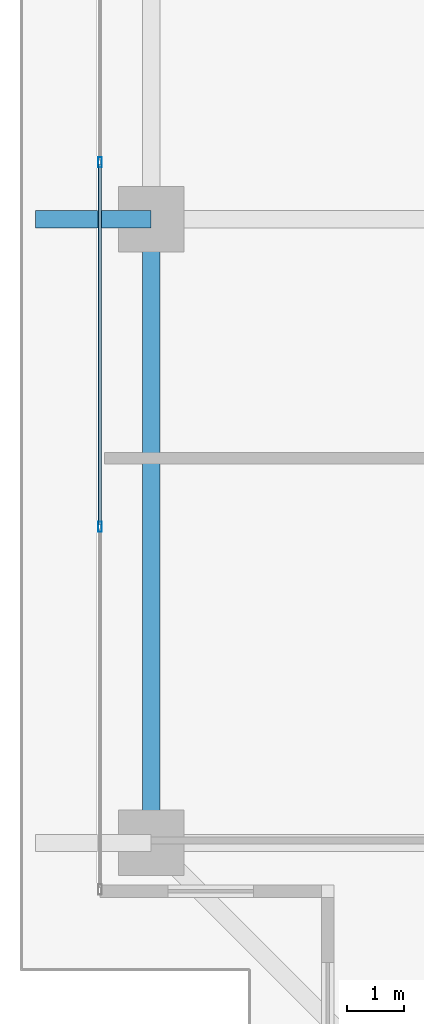
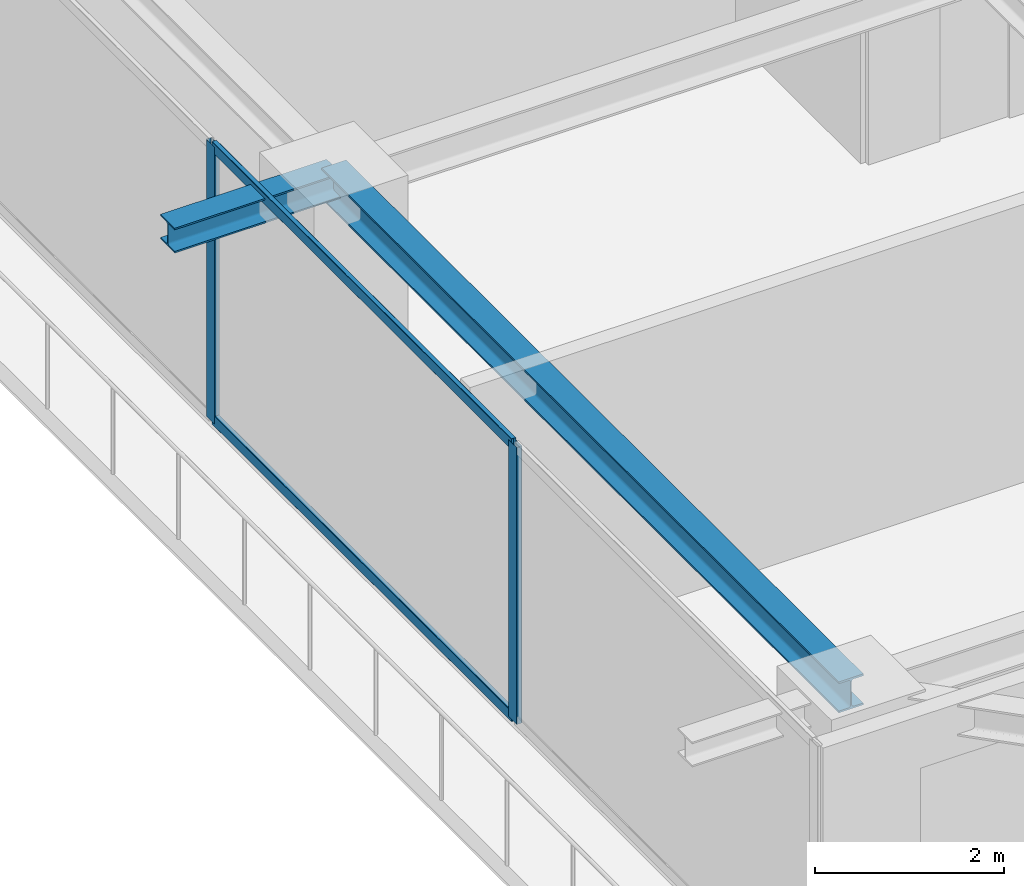
# One storey, part 7 of 38: 4 members, 2 beams, 1 element without a shape of its own.
"""IFC4 building model written with IfcOpenShell, lengths in metres."""

import ifcopenshell
import ifcopenshell.guid

model = None  # the IFC model being written
_history = None  # IfcOwnerHistory: only IFC2X3 demands one
_inside = {}  # id of a spatial element -> (the spatial element, [elements in it])
_under = {}  # id of a project, library or spatial element -> (it, [spatial elements below it])
_declared = {}  # id of a project -> (the project, [libraries it declares])
_typed = {}  # id of a type object -> (the type object, [elements of that type])
_made_of = {}  # id of a material, layer set ... -> (it, [elements and type objects made of it])


def new_model(schema):
    """Start an empty IFC model of exactly this schema.

    Asked for "IFC4X3", IfcOpenShell would pick the latest addendum, in which some entities
    have other attributes; the version numbers below select the first issue.
    IFC2X3 requires an IfcOwnerHistory on every rooted entity: one is made here for all.
    """
    global model, _history
    if schema == "IFC4X3":
        model = ifcopenshell.file(schema_version=(4, 3, 0, 0))
    else:
        model = ifcopenshell.file(schema=schema)
    _inside.clear()
    _under.clear()
    _declared.clear()
    _typed.clear()
    _made_of.clear()
    _history = None
    if model.schema == "IFC2X3":
        org = make("IfcOrganization", Name="unknown")
        user = make(
            "IfcPersonAndOrganization",
            ThePerson=make("IfcPerson", FamilyName="unknown"),
            TheOrganization=org,
        )
        app = make(
            "IfcApplication",
            ApplicationDeveloper=org,
            Version="unknown",
            ApplicationFullName="unknown",
            ApplicationIdentifier="unknown",
        )
        _history = make(
            "IfcOwnerHistory",
            OwningUser=user,
            OwningApplication=app,
            ChangeAction="ADDED",
            CreationDate=0,
        )
    return model


def make(cls, **values):
    """One entity of the class cls with the attributes given. An attribute that is None is left unset."""
    return model.create_entity(
        cls, **{name: value for name, value in values.items() if value is not None}
    )


def rooted(cls, **values):
    """An entity with a GlobalId (a new one), such as an element, a storey or a relation."""
    return make(cls, GlobalId=ifcopenshell.guid.new(), OwnerHistory=_history, **values)


def si_unit(unit_type, name, prefix=None):
    """IfcSIUnit, for example si_unit("LENGTHUNIT", "METRE", prefix="MILLI")."""
    return make("IfcSIUnit", UnitType=unit_type, Prefix=prefix, Name=name)


def assignment(units):
    """IfcUnitAssignment: the units of a project."""
    return None if units is None else make("IfcUnitAssignment", Units=units)


def point(xyz):
    """IfcCartesianPoint."""
    return None if xyz is None else make("IfcCartesianPoint", Coordinates=xyz)


def direction(xyz):
    """IfcDirection."""
    return None if xyz is None else make("IfcDirection", DirectionRatios=xyz)


def frame(location, z_axis=None, x_axis=None):
    """IfcAxis2Placement3D, a coordinate frame: its origin and axes. An axis left out is left unset."""
    return make(
        "IfcAxis2Placement3D",
        Location=point(location),
        Axis=direction(z_axis),
        RefDirection=direction(x_axis),
    )


def frame_2d(location, x_axis=None):
    """IfcAxis2Placement2D, a coordinate frame in the plane: its origin and x axis."""
    return make(
        "IfcAxis2Placement2D", Location=point(location), RefDirection=direction(x_axis)
    )


def origin():
    """The frame at (0, 0, 0) with its axes left unset."""
    return frame((0.0, 0.0, 0.0))


def origin_2d():
    """The frame at (0, 0) in the plane with its x axis left unset."""
    return frame_2d((0.0, 0.0))


def place(relative_to, where):
    """IfcLocalPlacement: puts the frame where relative to a parent placement (None: the world)."""
    return make(
        "IfcLocalPlacement", PlacementRelTo=relative_to, RelativePlacement=where
    )


def context(
    kind, dimensions, precision=None, world=None, true_north=None, identifier=None
):
    """IfcGeometricRepresentationContext, for example the 3D "Model" context."""
    return make(
        "IfcGeometricRepresentationContext",
        ContextIdentifier=identifier,
        ContextType=kind,
        CoordinateSpaceDimension=dimensions,
        Precision=precision,
        WorldCoordinateSystem=world,
        TrueNorth=true_north,
    )


def subcontext(parent, identifier, kind, view, scale=None):
    """IfcGeometricRepresentationSubContext, for example "Body" below "Model"."""
    return make(
        "IfcGeometricRepresentationSubContext",
        ContextIdentifier=identifier,
        ContextType=kind,
        ParentContext=parent,
        TargetScale=scale,
        TargetView=view,
    )


def project(units=None, contexts=None):
    """IfcProject with its units and contexts."""
    return rooted(
        "IfcProject",
        Name="project",
        RepresentationContexts=contexts,
        UnitsInContext=assignment(units),
    )


def spatial(cls, under=None, at=None, **own):
    """A site, building, storey or space (cls), placed at a placement, below another one or the project."""
    s = rooted(cls, ObjectPlacement=at, **own)
    if under is not None:
        _under.setdefault(under.id(), (under, []))[1].append(s)
    return s


def profile(cls, at=None, kind="AREA", **sizes):
    """A parametric profile (cls). Its sizes go by their IFC names, for example OverallWidth=200.0."""
    return make(cls, ProfileType=kind, Position=at, **sizes)


def hollow_rectangle(**sizes):
    """IfcRectangleHollowProfileDef."""
    return profile("IfcRectangleHollowProfileDef", **sizes)


def i_section(**sizes):
    """IfcIShapeProfileDef."""
    return profile("IfcIShapeProfileDef", **sizes)


def extrude(swept, where, along, depth):
    """IfcExtrudedAreaSolid: the profile swept, set in the frame where, extruded along a direction by depth."""
    return make(
        "IfcExtrudedAreaSolid",
        SweptArea=swept,
        Position=where,
        ExtrudedDirection=direction(along),
        Depth=depth,
    )


def shape(context_of_items, identifier, shape_type, items):
    """IfcShapeRepresentation: the items that make up one representation, for example the "Body"."""
    return make(
        "IfcShapeRepresentation",
        ContextOfItems=context_of_items,
        RepresentationIdentifier=identifier,
        RepresentationType=shape_type,
        Items=items,
    )


def source(mapping_origin, context_of_items, identifier, shape_type, items):
    """IfcRepresentationMap: a shape defined once, which mapped items show again and again."""
    return make(
        "IfcRepresentationMap",
        MappingOrigin=mapping_origin,
        MappedRepresentation=shape(context_of_items, identifier, shape_type, items),
    )


def transform(
    local_origin,
    x_axis=None,
    y_axis=None,
    z_axis=None,
    scale=None,
    scale2=None,
    scale3=None,
    uniform=True,
):
    """IfcCartesianTransformationOperator3D, or its non-uniform kind. x_axis, y_axis, z_axis: its Axis1, 2, 3."""
    if uniform:
        return make(
            "IfcCartesianTransformationOperator3D",
            Axis1=direction(x_axis),
            Axis2=direction(y_axis),
            LocalOrigin=point(local_origin),
            Scale=scale,
            Axis3=direction(z_axis),
        )
    return make(
        "IfcCartesianTransformationOperator3DnonUniform",
        Axis1=direction(x_axis),
        Axis2=direction(y_axis),
        LocalOrigin=point(local_origin),
        Scale=scale,
        Axis3=direction(z_axis),
        Scale2=scale2,
        Scale3=scale3,
    )


def mapped(mapping_source, mapping_target):
    """IfcMappedItem: shows the shape of a source again, moved by a transform."""
    return make(
        "IfcMappedItem", MappingSource=mapping_source, MappingTarget=mapping_target
    )


def material(Name=None, Category=None):
    """IfcMaterial."""
    return make("IfcMaterial", Name=Name, Category=Category)


def layer(
    of_material, thickness, ventilated=None, Name=None, Category=None, Priority=None
):
    """IfcMaterialLayer: one layer of a wall or slab, of a material (None: an air gap)."""
    return make(
        "IfcMaterialLayer",
        Material=of_material,
        LayerThickness=thickness,
        IsVentilated=ventilated,
        Name=Name,
        Category=Category,
        Priority=Priority,
    )


def layer_set(layers, Name=None):
    """IfcMaterialLayerSet."""
    return make("IfcMaterialLayerSet", MaterialLayers=layers, LayerSetName=Name)


def material_profile(
    of_material, cross_section, Name=None, Category=None, Priority=None
):
    """IfcMaterialProfile: a cross section and its material."""
    return make(
        "IfcMaterialProfile",
        Name=Name,
        Material=of_material,
        Profile=cross_section,
        Priority=Priority,
        Category=Category,
    )


def profile_set(profiles, Name=None, composite=None):
    """IfcMaterialProfileSet."""
    return make(
        "IfcMaterialProfileSet",
        Name=Name,
        MaterialProfiles=profiles,
        CompositeProfile=composite,
    )


def made_of(thing, what):
    """Note that an element or type object is made of a material, layer set ...; save() writes the relation."""
    if what is not None:
        _made_of.setdefault(what.id(), (what, []))[1].append(thing)
    return thing


def type_object(cls, material=None, **own):
    """A type object (cls), such as IfcWallType, which elements share."""
    return made_of(rooted(cls, **own), material)


def element(
    cls,
    number,
    at=None,
    inside=None,
    cuts=None,
    type_object=None,
    material=None,
    context=None,
    identifier="Body",
    shape_type=None,
    held_by="IfcProductDefinitionShape",
    body=None,
    shapes=None,
    **own,
):
    """One element of the class cls, such as IfcWall. Its Tag is "e" and its number.

    at: its placement. inside: the storey or other place that contains it. cuts: it is an
    opening in that element (IfcRelVoidsElement). A single representation is given by context,
    identifier, shape_type and body (its items); several are given by shapes. held_by: the class
    of the entity that holds the representations. save() writes the other relations.
    """
    e = rooted(cls, Tag="e%d" % number, ObjectPlacement=at, **own)
    if body is not None:
        shapes = [shape(context, identifier, shape_type, body)]
    if shapes is not None:
        e.Representation = make(held_by, Representations=shapes)
    if inside is not None:
        _inside.setdefault(inside.id(), (inside, []))[1].append(e)
    if cuts is not None:
        rooted(
            "IfcRelVoidsElement", RelatingBuildingElement=cuts, RelatedOpeningElement=e
        )
    if type_object is not None:
        _typed.setdefault(type_object.id(), (type_object, []))[1].append(e)
    return made_of(e, material)


def aggregate(whole, parts):
    """IfcRelAggregates: a whole, such as a stair, and the parts it consists of."""
    return rooted("IfcRelAggregates", RelatingObject=whole, RelatedObjects=parts)


def save(model, path):
    """Write the relations noted so far, then the file.

    IfcRelAggregates (storeys below a building ...), IfcRelContainedInSpatialStructure (elements
    in a storey), IfcRelDefinesByType, IfcRelAssociatesMaterial and IfcRelDeclares: one each for
    every whole, place, type object, material and project.
    """
    for whole, parts in _under.values():
        aggregate(whole, parts)
    for where, things in _inside.values():
        rooted(
            "IfcRelContainedInSpatialStructure",
            RelatedElements=things,
            RelatingStructure=where,
        )
    for kind, things in _typed.values():
        rooted("IfcRelDefinesByType", RelatedObjects=things, RelatingType=kind)
    for what, things in _made_of.values():
        rooted("IfcRelAssociatesMaterial", RelatedObjects=things, RelatingMaterial=what)
    for by, libraries in _declared.values():
        rooted("IfcRelDeclares", RelatingContext=by, RelatedDefinitions=libraries)
    model.write(path)


model = new_model("IFC4")

# Units and contexts
model_context = context("Model", 3, precision=1e-05, world=origin(), true_north=direction((0.0, 1.0)))
body_context = subcontext(model_context, "Body", "Model", "MODEL_VIEW")
ifc_project = project(units=[si_unit("LENGTHUNIT", "METRE"), si_unit("AREAUNIT", "SQUARE_METRE"), si_unit("VOLUMEUNIT", "CUBIC_METRE"), si_unit("PLANEANGLEUNIT", "RADIAN"), si_unit("MASSUNIT", "GRAM", prefix="KILO")], contexts=[model_context])

# Site, building, storey
site_placement = place(None, origin())
site = spatial("IfcSite", under=ifc_project, at=site_placement, CompositionType="ELEMENT")
building_placement = place(site_placement, origin())
building = spatial("IfcBuilding", under=site, at=building_placement, Name="Serunith Strait Residences", CompositionType="ELEMENT")
storey_placement = place(building_placement, frame((0.0, 0.0, 229.699951171875)))
storey = spatial("IfcBuildingStorey", under=building, at=storey_placement, Name="L57", CompositionType="ELEMENT", Elevation=229.699951171875)

# Beams
ifc_material_1 = material(Name="Steel S355J2", Category="steel")
ifc_material_profile_1 = material_profile(ifc_material_1, i_section(OverallWidth=0.300048828125, OverallDepth=0.39990234375, WebThickness=0.013427734375, FlangeThickness=0.02392578125, FilletRadius=0.027099609375, at=origin_2d()), Name="HEB 400")
ifc_profile_set_1 = profile_set([ifc_material_profile_1], Name="Steel S355J2")
beam_type_1 = type_object("IfcBeamType", Name="BM-HEB400", PredefinedType="BEAM", material=ifc_profile_set_1)
shared_shape_1 = source(origin(), body_context, "Body", "SweptSolid", [
    extrude(i_section(OverallWidth=0.300048828125, OverallDepth=0.39990234375, WebThickness=0.013427734375, FlangeThickness=0.02392578125, FilletRadius=0.027099609375, at=origin_2d()), origin(), (0.0, 0.0, 1.0), 10.949951171875),
])
beam_1_placement = place(storey_placement, frame((8.300048828125, 21.0, 3.386962890625), z_axis=(0.0, -1.0, 0.0), x_axis=(1.0, 0.0, 0.0)))
element("IfcBeam", 1, at=beam_1_placement, inside=storey, type_object=beam_type_1, Name="L57 Perimeter Ring Beam 15", PredefinedType="BEAM", context=body_context, shape_type="MappedRepresentation", body=[
    mapped(shared_shape_1, transform((0.0, 0.0, 0.0), scale=1.0)),
])
ifc_material_profile_2 = material_profile(ifc_material_1, i_section(OverallWidth=0.300048828125, OverallDepth=0.320068359375, WebThickness=0.011474609375, FlangeThickness=0.0205078125, FilletRadius=0.027099609375, at=origin_2d()), Name="HEB 320")
ifc_profile_set_2 = profile_set([ifc_material_profile_2], Name="Steel S355J2")
beam_type_2 = type_object("IfcBeamType", Name="BM-HEB320", PredefinedType="BEAM", material=ifc_profile_set_2)
shared_shape_2 = source(origin(), body_context, "Body", "SweptSolid", [
    extrude(i_section(OverallWidth=0.300048828125, OverallDepth=0.320068359375, WebThickness=0.011474609375, FlangeThickness=0.0205078125, FilletRadius=0.027099609375, at=origin_2d()), origin(), (0.0, 0.0, 1.0), 2.030029296875),
])
beam_2_placement = place(storey_placement, frame((8.300048828125, 21.0, 3.39697265625), z_axis=(-1.0, 0.0, 0.0), x_axis=(0.0, -1.0, 0.0)))
element("IfcBeam", 2, at=beam_2_placement, inside=storey, type_object=beam_type_2, Name="L58 Cantilevered Balcony Rib TC-W2", PredefinedType="BEAM", context=body_context, shape_type="MappedRepresentation", body=[
    mapped(shared_shape_2, transform((0.0, 0.0, 0.0), scale=1.0)),
])

# Curtain wall, members
ifc_material_2 = material(Name="Pale-Champagne Anodised Aluminium", Category="aluminium")
ifc_layer = layer(ifc_material_2, 0.199951171875, Name="Pale-Champagne Anodised Aluminium")
ifc_layer_set = layer_set([ifc_layer], Name="Pale-Champagne Anodised Aluminium")
curtain_wall_type = type_object("IfcCurtainWallType", Name="CW-SYS4", PredefinedType="NOTDEFINED", material=ifc_layer_set)
curtain_wall_placement = place(storey_placement, origin())
curtain_wall = element("IfcCurtainWall", 3, at=curtain_wall_placement, inside=storey, type_object=curtain_wall_type, Name="L57 W Unitised Fritted Curtain Wall", PredefinedType="NOTDEFINED")
ifc_material_profile_3 = material_profile(ifc_material_2, hollow_rectangle(XDim=0.06494140625, YDim=0.179931640625, WallThickness=0.00341796875, InnerFilletRadius=0.00537109375, OuterFilletRadius=0.0087890625, at=origin_2d()), Name="ALU 180x65x3.5")
ifc_profile_set_3 = profile_set([ifc_material_profile_3], Name="Pale-Champagne Anodised Aluminium")
member_type_1 = type_object("IfcMemberType", Name="CW-SYS4-MULL", PredefinedType="MULLION", material=ifc_profile_set_3)
shared_shape_3 = source(origin(), body_context, "Body", "SweptSolid", [
    extrude(hollow_rectangle(XDim=0.06494140625, YDim=0.179931640625, WallThickness=0.00341796875, InnerFilletRadius=0.00537109375, OuterFilletRadius=0.0087890625, at=origin_2d()), origin(), (0.0, 0.0, 1.0), 3.574951171875),
])
member_1_placement = place(storey_placement, frame((7.39990234375, 22.0, 0.0), z_axis=(0.0, 0.0, 1.0), x_axis=(1.0, 0.0, 0.0)))
member_1 = element("IfcMember", 4, at=member_1_placement, type_object=member_type_1, Name="CW-4 mullion 4", PredefinedType="MULLION", context=body_context, shape_type="MappedRepresentation", body=[
    mapped(shared_shape_3, transform((0.0, 0.0, 0.0), scale=1.0)),
])
member_2_placement = place(storey_placement, frame((7.39990234375, 15.60009765625, 0.0), z_axis=(0.0, 0.0, 1.0), x_axis=(1.0, 0.0, 0.0)))
member_2 = element("IfcMember", 5, at=member_2_placement, type_object=member_type_1, Name="CW-4 mullion 5", PredefinedType="MULLION", context=body_context, shape_type="MappedRepresentation", body=[
    mapped(shared_shape_3, transform((0.0, 0.0, 0.0), scale=1.0)),
])
ifc_material_profile_4 = material_profile(ifc_material_2, hollow_rectangle(XDim=0.06005859375, YDim=0.139892578125, WallThickness=0.00341796875, InnerFilletRadius=0.00537109375, OuterFilletRadius=0.0087890625, at=origin_2d()), Name="ALU 140x60x3.5")
ifc_profile_set_4 = profile_set([ifc_material_profile_4], Name="Pale-Champagne Anodised Aluminium")
member_type_2 = type_object("IfcMemberType", Name="CW-SYS4-TRAN", PredefinedType="USERDEFINED", material=ifc_profile_set_4)
shared_shape_4 = source(origin(), body_context, "Body", "SweptSolid", [
    extrude(hollow_rectangle(XDim=0.06005859375, YDim=0.139892578125, WallThickness=0.00341796875, InnerFilletRadius=0.00537109375, OuterFilletRadius=0.0087890625, at=origin_2d()), origin(), (0.0, 0.0, 1.0), 6.3349609375),
])
member_3_placement = place(storey_placement, frame((7.39990234375, 21.967529296875, 0.030029296875), z_axis=(0.0, -1.0, 0.0), x_axis=(1.0, 0.0, 0.0)))
member_3 = element("IfcMember", 6, at=member_3_placement, type_object=member_type_2, Name="CW-4 transom 4.1", ObjectType="TRANSOM", PredefinedType="USERDEFINED", context=body_context, shape_type="MappedRepresentation", body=[
    mapped(shared_shape_4, transform((0.0, 0.0, 0.0), scale=1.0)),
])
member_4_placement = place(storey_placement, frame((7.39990234375, 21.967529296875, 3.545166015625), z_axis=(0.0, -1.0, 0.0), x_axis=(1.0, 0.0, 0.0)))
member_4 = element("IfcMember", 7, at=member_4_placement, type_object=member_type_2, Name="CW-4 transom 4.2", ObjectType="TRANSOM", PredefinedType="USERDEFINED", context=body_context, shape_type="MappedRepresentation", body=[
    mapped(shared_shape_4, transform((0.0, 0.0, 0.0), scale=1.0)),
])
aggregate(curtain_wall, [member_1, member_2, member_3, member_4])

save(model, "model.ifc")
